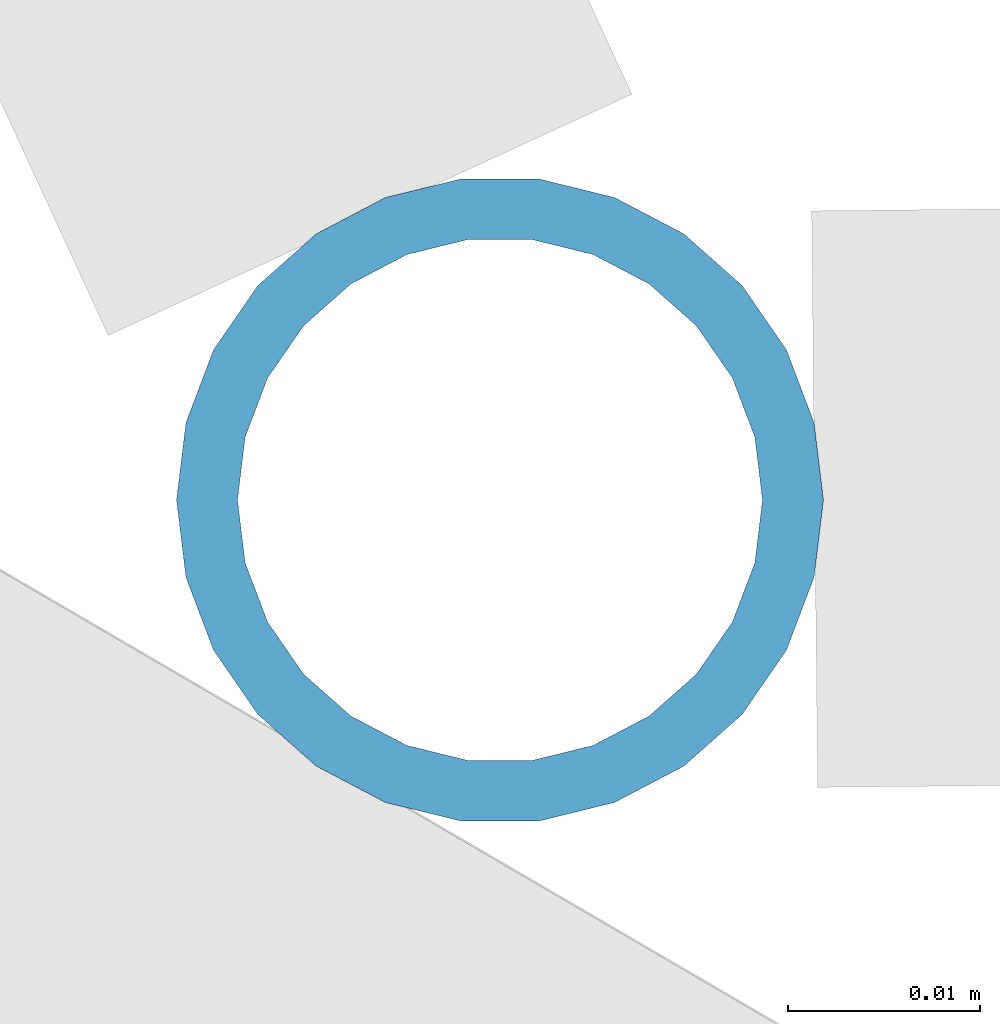
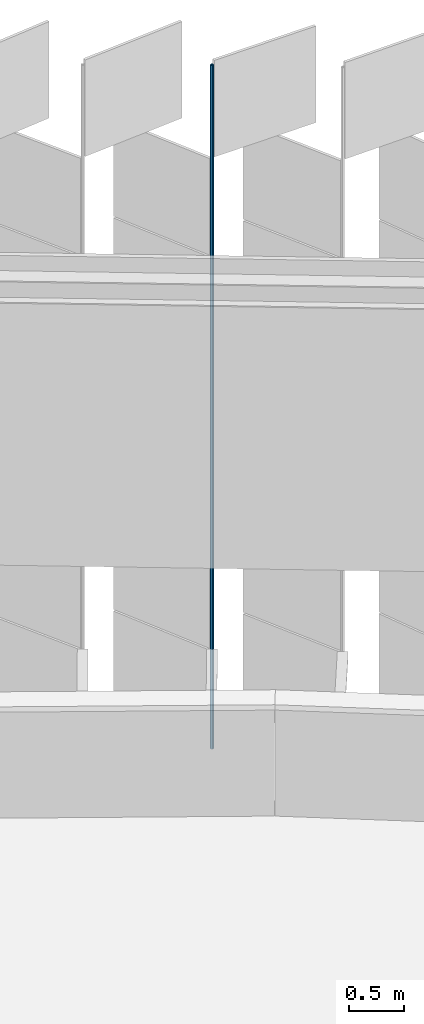
# One storey, part 410 of 483: 1 discrete accessory.
"""IFC4 building model written with IfcOpenShell, lengths in metres."""

from ifc_helpers import new_model, si_unit, direction, frame, origin, origin_2d, place, context, subcontext, project, spatial, hollow_circle, extrude, material, material_profile, profile_set, type_object, element, save


model = new_model("IFC4")

# Units and contexts
model_context = context("Model", 3, precision=1e-05, world=origin(), true_north=direction((0.0, 1.0)))
body_context = subcontext(model_context, "Body", "Model", "MODEL_VIEW")
ifc_project = project(units=[si_unit("LENGTHUNIT", "METRE"), si_unit("AREAUNIT", "SQUARE_METRE"), si_unit("VOLUMEUNIT", "CUBIC_METRE"), si_unit("PLANEANGLEUNIT", "RADIAN"), si_unit("MASSUNIT", "GRAM", prefix="KILO")], contexts=[model_context])

# Site, building, storey
site_placement = place(None, origin())
site = spatial("IfcSite", under=ifc_project, at=site_placement, CompositionType="ELEMENT")
building_placement = place(site_placement, origin())
building = spatial("IfcBuilding", under=site, at=building_placement, Name="Parallax Yard Mobility Hub", CompositionType="ELEMENT")
storey_placement = place(building_placement, frame((0.0, 0.0, 13.199951171875)))
storey = spatial("IfcBuildingStorey", under=building, at=storey_placement, Name="L04", CompositionType="ELEMENT", Elevation=13.199951171875)

# Discrete accessory
ifc_material = material(Name="Steel ASTM A500 Gr C, hot-dip galvanised", Category="steel")
ifc_material_profile = material_profile(ifc_material, hollow_circle(Radius=0.016845703125, WallThickness=0.003173828125, at=origin_2d()), Name="CHS 33.7x3.2")
ifc_profile_set = profile_set([ifc_material_profile], Name="Steel ASTM A500 Gr C, hot-dip galvanised")
discrete_accessory_type = type_object("IfcDiscreteAccessoryType", Name="Hinge post CHS 33.7x3.2", PredefinedType="BRACKET", material=ifc_profile_set)
discrete_accessory_placement = place(storey_placement, frame((199.843505859375, 135.7763671875, 0.0), z_axis=(0.0, 0.0, 1.0), x_axis=(1.0, 0.0, 0.0)))
element("IfcDiscreteAccessory", 1, at=discrete_accessory_placement, inside=storey, type_object=discrete_accessory_type, Name="Hinge post bay 47.5 level L04", PredefinedType="BRACKET", context=body_context, shape_type="SweptSolid", body=[
    extrude(hollow_circle(Radius=0.016845703125, WallThickness=0.003173828125, at=origin_2d()), origin(), (0.0, 0.0, 1.0), 7.650146484375),
])

save(model, "model.ifc")
